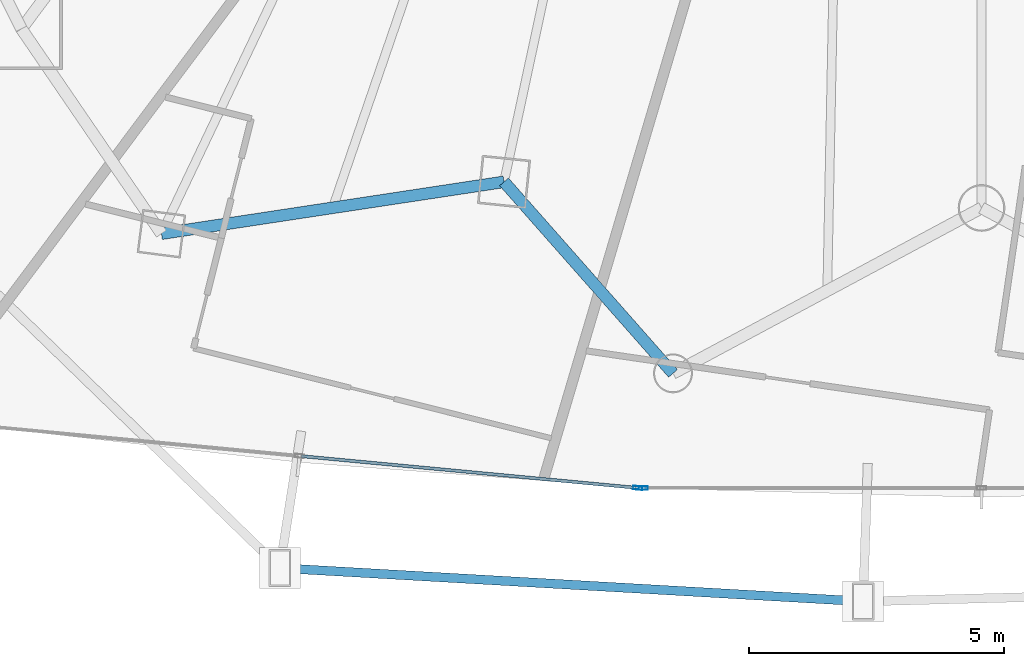
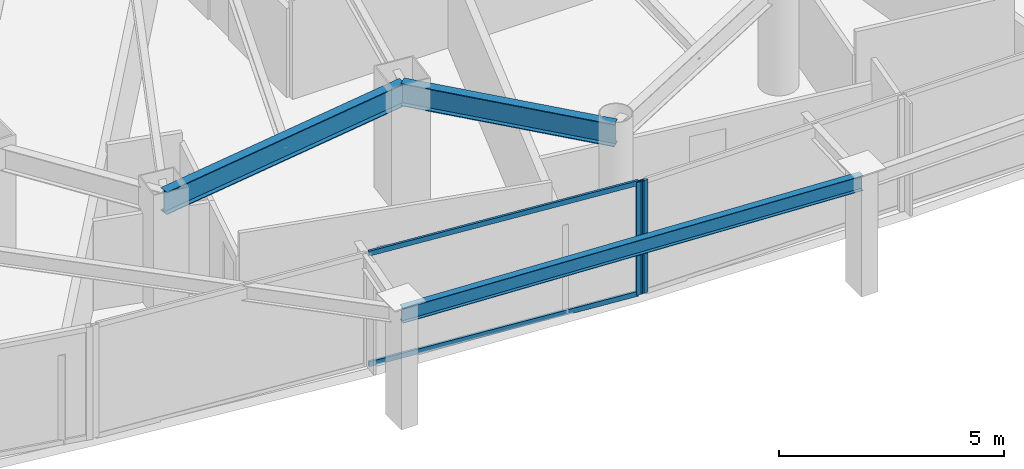
# One storey, part 6 of 35: 4 members, 3 beams, 2 elements without a shape of their own.
"""IFC4 building model written with IfcOpenShell, lengths in metres."""

from ifc_helpers import new_model, si_unit, direction, frame, origin, origin_2d, place, context, subcontext, project, spatial, hollow_rectangle, i_section, extrude, material, layer, layer_set, material_profile, profile_set, type_object, element, aggregate, save


model = new_model("IFC4")

# Units and contexts
model_context = context("Model", 3, precision=1e-05, world=origin(), true_north=direction((0.0, 1.0)))
body_context = subcontext(model_context, "Body", "Model", "MODEL_VIEW")
ifc_project = project(units=[si_unit("LENGTHUNIT", "METRE"), si_unit("AREAUNIT", "SQUARE_METRE"), si_unit("VOLUMEUNIT", "CUBIC_METRE"), si_unit("PLANEANGLEUNIT", "RADIAN"), si_unit("MASSUNIT", "GRAM", prefix="KILO")], contexts=[model_context])

# Site, building, storey
site_placement = place(None, origin())
site = spatial("IfcSite", under=ifc_project, at=site_placement, CompositionType="ELEMENT")
building_placement = place(site_placement, origin())
building = spatial("IfcBuilding", under=site, at=building_placement, Name="Orvanel Arch Residences", CompositionType="ELEMENT")
storey_placement = place(building_placement, frame((0.0, 0.0, 40.10009765625)))
storey = spatial("IfcBuildingStorey", under=building, at=storey_placement, Name="L10", CompositionType="ELEMENT", Elevation=40.10009765625)

# Curtain wall, member
ifc_material_1 = material(Name="Bronze-anodised aluminium AA6063-T6", Category="aluminium")
ifc_layer = layer(ifc_material_1, 0.179931640625)
ifc_layer_set = layer_set([ifc_layer], Name="Bronze-anodised aluminium AA6063-T6")
curtain_wall_type = type_object("IfcCurtainWallType", Name="CW2-LOW-SYS", PredefinedType="NOTDEFINED", material=ifc_layer_set)
curtain_wall_1_placement = place(storey_placement, origin())
curtain_wall_1 = element("IfcCurtainWall", 1, at=curtain_wall_1_placement, inside=storey, type_object=curtain_wall_type, Name="L10 CW2-LOW-SYS Unitised Curtain Wall", PredefinedType="NOTDEFINED")
ifc_material_profile_1 = material_profile(ifc_material_1, hollow_rectangle(XDim=0.070068359375, YDim=0.179931640625, WallThickness=0.00439453125, at=origin_2d()), Name="ALU180x70x4.5")
ifc_profile_set_1 = profile_set([ifc_material_profile_1], Name="Bronze-anodised aluminium AA6063-T6")
member_type_1 = type_object("IfcMemberType", Name="MUL-180x70", PredefinedType="MULLION", material=ifc_profile_set_1)
member_1_placement = place(storey_placement, frame((26.26708984375, 1.361328125, 0.0), z_axis=(0.0, 0.0, 1.0), x_axis=(0.094061026895, 0.995566433353, 0.0)))
member_1 = element("IfcMember", 2, at=member_1_placement, type_object=member_type_1, Name="CW-S2 mullion 3", PredefinedType="MULLION", context=body_context, shape_type="SweptSolid", body=[
    extrude(hollow_rectangle(XDim=0.070068359375, YDim=0.179931640625, WallThickness=0.00439453125, at=origin_2d()), origin(), (0.0, 0.0, 1.0), 3.059814453125),
])

curtain_wall_2_placement = place(storey_placement, origin())
curtain_wall_2 = element("IfcCurtainWall", 3, at=curtain_wall_2_placement, inside=storey, type_object=curtain_wall_type, Name="L10 CW2-LOW-SYS Unitised Curtain Wall", PredefinedType="NOTDEFINED")
member_2_placement = place(storey_placement, frame((26.376953125, 1.35595703125, 0.0), z_axis=(0.0, 0.0, 1.0), x_axis=(0.0, 1.0, 0.0)))
member_2 = element("IfcMember", 4, at=member_2_placement, type_object=member_type_1, Name="CW-S2 mullion 1", PredefinedType="MULLION", context=body_context, shape_type="SweptSolid", body=[
    extrude(hollow_rectangle(XDim=0.070068359375, YDim=0.179931640625, WallThickness=0.00439453125, at=origin_2d()), origin(), (0.0, 0.0, 1.0), 3.059814453125),
])
aggregate(curtain_wall_2, [member_2])

# Beams
ifc_material_2 = material(Name="Structural steel AS/NZS 3679.1 Grade 300 (300 MPa)", Category="steel")
ifc_material_profile_2 = material_profile(ifc_material_2, i_section(OverallWidth=0.177978515625, OverallDepth=0.406005859375, WebThickness=0.0078125, FlangeThickness=0.0126953125, at=origin_2d()), Name="410UB59.7")
ifc_profile_set_2 = profile_set([ifc_material_profile_2], Name="Structural steel AS/NZS 3679.1 Grade 300 (300 MPa)")
beam_type_1 = type_object("IfcBeamType", Name="OB-410UB-EXT", PredefinedType="SPANDREL", material=ifc_profile_set_2)
beam_1_placement = place(storey_placement, frame((19.259033203125, -0.2080078125, 2.85693359375), z_axis=(0.998369632483, -0.057079566703, 0.0), x_axis=(0.057079566703, 0.998369632483, 0.0)))
element("IfcBeam", 5, at=beam_1_placement, inside=storey, type_object=beam_type_1, Name="L10 Outer Perimeter Floor Ring Beam 05", PredefinedType="SPANDREL", context=body_context, shape_type="SweptSolid", body=[
    extrude(i_section(OverallWidth=0.177978515625, OverallDepth=0.406005859375, WebThickness=0.0078125, FlangeThickness=0.0126953125, at=origin_2d()), origin(), (0.0, 0.0, 1.0), 11.44140625),
])
ifc_material_profile_3 = material_profile(ifc_material_2, i_section(OverallWidth=0.22900390625, OverallDepth=0.612060546875, WebThickness=0.011962890625, FlangeThickness=0.01953125, at=origin_2d()), Name="610UB125")
ifc_profile_set_3 = profile_set([ifc_material_profile_3], Name="Structural steel AS/NZS 3679.1 Grade 300 (300 MPa)")
beam_type_2 = type_object("IfcBeamType", Name="SP-610UB", PredefinedType="SPANDREL", material=ifc_profile_set_3)
beam_2_placement = place(storey_placement, frame((16.94091796875, 6.339111328125, 2.75390625), z_axis=(0.988726323014, 0.149733958002, 0.0), x_axis=(-0.149733958002, 0.988726323014, 0.0)))
element("IfcBeam", 6, at=beam_2_placement, inside=storey, type_object=beam_type_2, Name="L10 Perimeter Spandrel Beam 04", PredefinedType="SPANDREL", context=body_context, shape_type="SweptSolid", body=[
    extrude(i_section(OverallWidth=0.22900390625, OverallDepth=0.612060546875, WebThickness=0.011962890625, FlangeThickness=0.01953125, at=origin_2d()), origin(), (0.0, 0.0, 1.0), 6.784423828125),
])
beam_3_placement = place(storey_placement, frame((23.64892578125, 7.35498046875, 2.75390625), z_axis=(0.661650698195, -0.749812212209, 0.0), x_axis=(0.749812212209, 0.661650698195, 0.0)))
element("IfcBeam", 7, at=beam_3_placement, inside=storey, type_object=beam_type_2, Name="L10 Perimeter Spandrel Beam 05", PredefinedType="SPANDREL", context=body_context, shape_type="SweptSolid", body=[
    extrude(i_section(OverallWidth=0.22900390625, OverallDepth=0.612060546875, WebThickness=0.011962890625, FlangeThickness=0.01953125, at=origin_2d()), origin(), (0.0, 0.0, 1.0), 5.001220703125),
])

# Member
ifc_material_profile_4 = material_profile(ifc_material_1, hollow_rectangle(XDim=0.06005859375, YDim=0.135009765625, WallThickness=0.00390625, at=origin_2d()), Name="ALU135x60x4")
ifc_profile_set_4 = profile_set([ifc_material_profile_4], Name="Bronze-anodised aluminium AA6063-T6")
member_type_2 = type_object("IfcMemberType", Name="TRN-135x60", PredefinedType="USERDEFINED", material=ifc_profile_set_4)
member_3_placement = place(storey_placement, frame((19.679443359375, 1.983642578125, 0.02978515625), z_axis=(0.995566208487, -0.094063406904, 0.0), x_axis=(0.094063406904, 0.995566208487, 0.0)))
member_3 = element("IfcMember", 8, at=member_3_placement, type_object=member_type_2, Name="CW-S2 transom 2.1", ObjectType="TRANSOM", PredefinedType="USERDEFINED", context=body_context, shape_type="SweptSolid", body=[
    extrude(hollow_rectangle(XDim=0.06005859375, YDim=0.135009765625, WallThickness=0.00390625, at=origin_2d()), origin(), (0.0, 0.0, 1.0), 6.582275390625),
])

member_4_placement = place(storey_placement, frame((19.679443359375, 1.983642578125, 3.02978515625), z_axis=(0.995566208487, -0.094063406904, 0.0), x_axis=(0.094063406904, 0.995566208487, 0.0)))
member_4 = element("IfcMember", 9, at=member_4_placement, type_object=member_type_2, Name="CW-S2 transom 2.2", ObjectType="TRANSOM", PredefinedType="USERDEFINED", context=body_context, shape_type="SweptSolid", body=[
    extrude(hollow_rectangle(XDim=0.06005859375, YDim=0.135009765625, WallThickness=0.00390625, at=origin_2d()), origin(), (0.0, 0.0, 1.0), 6.582275390625),
])

aggregate(curtain_wall_1, [member_1, member_3, member_4])

save(model, "model.ifc")
